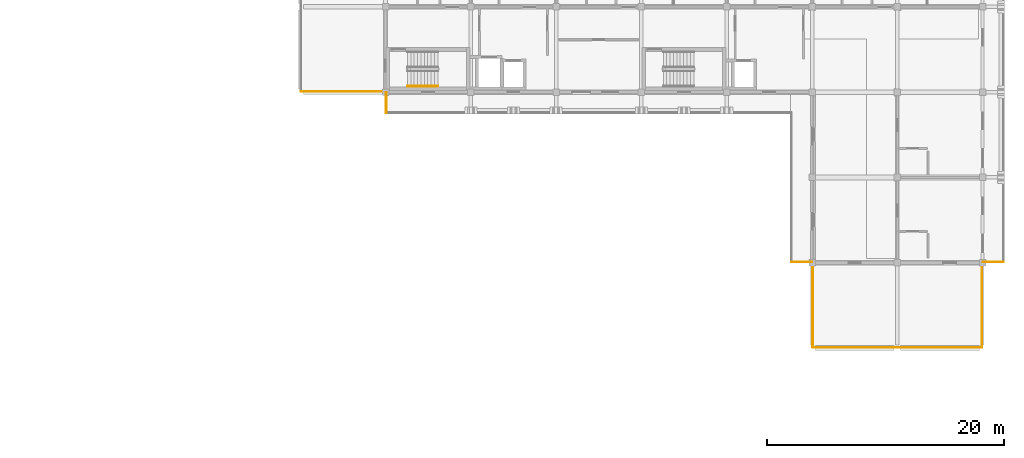
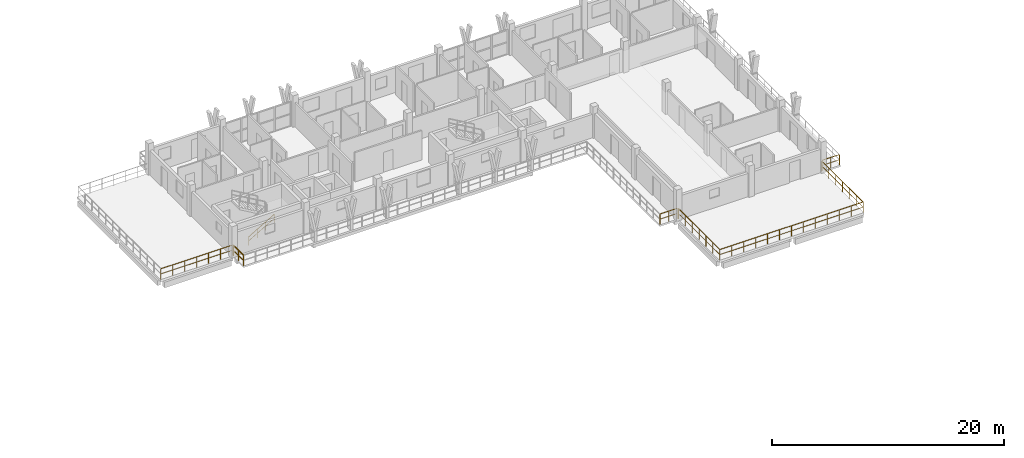
# One storey, part 57 of 60: 8 railings.
"""IFC4 building model written with IfcOpenShell, lengths in metres."""

from ifc_helpers import new_model, si_unit, direction, frame, origin, origin_2d, place, context, subcontext, project, spatial, rectangle, extrude, material, type_object, element, save


model = new_model("IFC4")

# Units and contexts
model_context = context("Model", 3, precision=1e-05, world=origin(), true_north=direction((0.0, 1.0)))
body_context = subcontext(model_context, "Body", "Model", "MODEL_VIEW")
ifc_project = project(units=[si_unit("LENGTHUNIT", "METRE"), si_unit("AREAUNIT", "SQUARE_METRE"), si_unit("VOLUMEUNIT", "CUBIC_METRE"), si_unit("PLANEANGLEUNIT", "RADIAN"), si_unit("MASSUNIT", "GRAM", prefix="KILO")], contexts=[model_context])

# Site, building, storey
site_placement = place(None, origin())
site = spatial("IfcSite", under=ifc_project, at=site_placement, CompositionType="ELEMENT")
building_placement = place(site_placement, origin())
building = spatial("IfcBuilding", under=site, at=building_placement, Name="Suanplinth Sawtooth Commons", CompositionType="ELEMENT")
storey_placement = place(building_placement, frame((0.0, 0.0, 31.5)))
storey = spatial("IfcBuildingStorey", under=building, at=storey_placement, Name="L09", CompositionType="ELEMENT", Elevation=31.5)

# Railings
ifc_material_1 = material(Name="Powder-coated galvanized steel", Category="steel")
railing_type_1 = type_object("IfcRailingType", Name="GR-01", PredefinedType="BALUSTRADE", material=ifc_material_1)
railing_1_placement = place(storey_placement, frame((172.780029296875, 93.659912109375, 0.0)))
element("IfcRailing", 1, at=railing_1_placement, inside=storey, type_object=railing_type_1, Name="L09 Block B Perimeter Balustrade 1", PredefinedType="BALUSTRADE", context=body_context, shape_type="SweptSolid", body=[
    extrude(rectangle(XDim=0.048095703125, YDim=0.048095703125, at=origin_2d()), frame((0.0, 0.0, 1.09619140625), z_axis=(-1.0, 0.0, 0.0), x_axis=(0.0, -1.0, 0.0)), (0.0, 0.0, 1.0), 1.719970703125),
    extrude(rectangle(XDim=0.03369140625, YDim=0.03369140625, at=origin_2d()), frame((0.0, 0.0, 0.56005859375), z_axis=(-1.0, 0.0, 0.0), x_axis=(0.0, -1.0, 0.0)), (0.0, 0.0, 1.0), 1.719970703125),
    extrude(rectangle(XDim=0.0419921875, YDim=0.0419921875, at=origin_2d()), origin(), (0.0, 0.0, 1.0), 1.072021484375),
    extrude(rectangle(XDim=0.0419921875, YDim=0.0419921875, at=origin_2d()), frame((-0.85986328125, 0.0, 0.0)), (0.0, 0.0, 1.0), 1.072021484375),
    extrude(rectangle(XDim=0.0419921875, YDim=0.0419921875, at=origin_2d()), frame((-1.719970703125, 0.0, 0.0)), (0.0, 0.0, 1.0), 1.072021484375),
])
railing_2_placement = place(storey_placement, frame((136.860107421875, 106.260009765625, 0.0)))
element("IfcRailing", 2, at=railing_2_placement, inside=storey, type_object=railing_type_1, Name="L09 Block B Perimeter Balustrade 4", PredefinedType="BALUSTRADE", context=body_context, shape_type="SweptSolid", body=[
    extrude(rectangle(XDim=0.048095703125, YDim=0.048095703125, at=origin_2d()), frame((0.0, 0.0, 1.09619140625), z_axis=(0.0, 1.0, 0.0), x_axis=(-1.0, 0.0, 0.0)), (0.0, 0.0, 1.0), 1.719970703125),
    extrude(rectangle(XDim=0.03369140625, YDim=0.03369140625, at=origin_2d()), frame((0.0, 0.0, 0.56005859375), z_axis=(0.0, 1.0, 0.0), x_axis=(-1.0, 0.0, 0.0)), (0.0, 0.0, 1.0), 1.719970703125),
    extrude(rectangle(XDim=0.0419921875, YDim=0.0419921875, at=origin_2d()), origin(), (0.0, 0.0, 1.0), 1.072021484375),
    extrude(rectangle(XDim=0.0419921875, YDim=0.0419921875, at=origin_2d()), frame((0.0, 0.85986328125, 0.0)), (0.0, 0.0, 1.0), 1.072021484375),
    extrude(rectangle(XDim=0.0419921875, YDim=0.0419921875, at=origin_2d()), frame((0.0, 1.719970703125, 0.0)), (0.0, 0.0, 1.0), 1.072021484375),
])
railing_3_placement = place(storey_placement, frame((136.780029296875, 108.06005859375, 0.0)))
element("IfcRailing", 3, at=railing_3_placement, inside=storey, type_object=railing_type_1, Name="L09 Block B Perimeter Balustrade 5", PredefinedType="BALUSTRADE", context=body_context, shape_type="SweptSolid", body=[
    extrude(rectangle(XDim=0.048095703125, YDim=0.048095703125, at=origin_2d()), frame((0.0, 0.0, 1.09619140625), z_axis=(-1.0, 0.0, 0.0), x_axis=(0.0, -1.0, 0.0)), (0.0, 0.0, 1.0), 7.1201171875),
    extrude(rectangle(XDim=0.03369140625, YDim=0.03369140625, at=origin_2d()), frame((0.0, 0.0, 0.56005859375), z_axis=(-1.0, 0.0, 0.0), x_axis=(0.0, -1.0, 0.0)), (0.0, 0.0, 1.0), 7.1201171875),
    extrude(rectangle(XDim=0.0419921875, YDim=0.0419921875, at=origin_2d()), origin(), (0.0, 0.0, 1.0), 1.072021484375),
    extrude(rectangle(XDim=0.0419921875, YDim=0.0419921875, at=origin_2d()), frame((-1.186767578125, 0.0, 0.0)), (0.0, 0.0, 1.0), 1.072021484375),
    extrude(rectangle(XDim=0.0419921875, YDim=0.0419921875, at=origin_2d()), frame((-2.373291015625, 0.0, 0.0)), (0.0, 0.0, 1.0), 1.072021484375),
    extrude(rectangle(XDim=0.0419921875, YDim=0.0419921875, at=origin_2d()), frame((-3.56005859375, 0.0, 0.0)), (0.0, 0.0, 1.0), 1.072021484375),
    extrude(rectangle(XDim=0.0419921875, YDim=0.0419921875, at=origin_2d()), frame((-4.746826171875, 0.0, 0.0)), (0.0, 0.0, 1.0), 1.072021484375),
    extrude(rectangle(XDim=0.0419921875, YDim=0.0419921875, at=origin_2d()), frame((-5.933349609375, 0.0, 0.0)), (0.0, 0.0, 1.0), 1.072021484375),
    extrude(rectangle(XDim=0.0419921875, YDim=0.0419921875, at=origin_2d()), frame((-7.1201171875, 0.0, 0.0)), (0.0, 0.0, 1.0), 1.072021484375),
])
railing_4_placement = place(storey_placement, frame((188.93994140625, 93.659912109375, 0.0)))
element("IfcRailing", 4, at=railing_4_placement, inside=storey, type_object=railing_type_1, Name="L09 Block B Perimeter Balustrade 11", PredefinedType="BALUSTRADE", context=body_context, shape_type="SweptSolid", body=[
    extrude(rectangle(XDim=0.048095703125, YDim=0.048095703125, at=origin_2d()), frame((0.0, 0.0, 1.09619140625), z_axis=(-1.0, 0.0, 0.0), x_axis=(0.0, -1.0, 0.0)), (0.0, 0.0, 1.0), 1.719970703125),
    extrude(rectangle(XDim=0.03369140625, YDim=0.03369140625, at=origin_2d()), frame((0.0, 0.0, 0.56005859375), z_axis=(-1.0, 0.0, 0.0), x_axis=(0.0, -1.0, 0.0)), (0.0, 0.0, 1.0), 1.719970703125),
    extrude(rectangle(XDim=0.0419921875, YDim=0.0419921875, at=origin_2d()), origin(), (0.0, 0.0, 1.0), 1.072021484375),
    extrude(rectangle(XDim=0.0419921875, YDim=0.0419921875, at=origin_2d()), frame((-0.85986328125, 0.0, 0.0)), (0.0, 0.0, 1.0), 1.072021484375),
    extrude(rectangle(XDim=0.0419921875, YDim=0.0419921875, at=origin_2d()), frame((-1.719970703125, 0.0, 0.0)), (0.0, 0.0, 1.0), 1.072021484375),
])
railing_5_placement = place(storey_placement, frame((187.139892578125, 93.580078125, 0.0)))
element("IfcRailing", 5, at=railing_5_placement, inside=storey, type_object=railing_type_1, Name="L09 Block B Perimeter Balustrade 12", PredefinedType="BALUSTRADE", context=body_context, shape_type="SweptSolid", body=[
    extrude(rectangle(XDim=0.048095703125, YDim=0.048095703125, at=origin_2d()), frame((0.0, 0.0, 1.09619140625), z_axis=(0.0, -1.0, 0.0), x_axis=(1.0, 0.0, 0.0)), (0.0, 0.0, 1.0), 7.1201171875),
    extrude(rectangle(XDim=0.03369140625, YDim=0.03369140625, at=origin_2d()), frame((0.0, 0.0, 0.56005859375), z_axis=(0.0, -1.0, 0.0), x_axis=(1.0, 0.0, 0.0)), (0.0, 0.0, 1.0), 7.1201171875),
    extrude(rectangle(XDim=0.0419921875, YDim=0.0419921875, at=origin_2d()), origin(), (0.0, 0.0, 1.0), 1.072021484375),
    extrude(rectangle(XDim=0.0419921875, YDim=0.0419921875, at=origin_2d()), frame((0.0, -1.186767578125, 0.0)), (0.0, 0.0, 1.0), 1.072021484375),
    extrude(rectangle(XDim=0.0419921875, YDim=0.0419921875, at=origin_2d()), frame((0.0, -2.373291015625, 0.0)), (0.0, 0.0, 1.0), 1.072021484375),
    extrude(rectangle(XDim=0.0419921875, YDim=0.0419921875, at=origin_2d()), frame((0.0, -3.56005859375, 0.0)), (0.0, 0.0, 1.0), 1.072021484375),
    extrude(rectangle(XDim=0.0419921875, YDim=0.0419921875, at=origin_2d()), frame((0.0, -4.746826171875, 0.0)), (0.0, 0.0, 1.0), 1.072021484375),
    extrude(rectangle(XDim=0.0419921875, YDim=0.0419921875, at=origin_2d()), frame((0.0, -5.933349609375, 0.0)), (0.0, 0.0, 1.0), 1.072021484375),
    extrude(rectangle(XDim=0.0419921875, YDim=0.0419921875, at=origin_2d()), frame((0.0, -7.1201171875, 0.0)), (0.0, 0.0, 1.0), 1.072021484375),
])
railing_6_placement = place(storey_placement, frame((187.139892578125, 86.4599609375, 0.0)))
element("IfcRailing", 6, at=railing_6_placement, inside=storey, type_object=railing_type_1, Name="L09 Block B Perimeter Balustrade 13", PredefinedType="BALUSTRADE", context=body_context, shape_type="SweptSolid", body=[
    extrude(rectangle(XDim=0.048095703125, YDim=0.048095703125, at=origin_2d()), frame((0.0, 0.0, 1.09619140625), z_axis=(-1.0, 0.0, 0.0), x_axis=(0.0, -1.0, 0.0)), (0.0, 0.0, 1.0), 14.27978515625),
    extrude(rectangle(XDim=0.03369140625, YDim=0.03369140625, at=origin_2d()), frame((0.0, 0.0, 0.56005859375), z_axis=(-1.0, 0.0, 0.0), x_axis=(0.0, -1.0, 0.0)), (0.0, 0.0, 1.0), 14.27978515625),
    extrude(rectangle(XDim=0.0419921875, YDim=0.0419921875, at=origin_2d()), origin(), (0.0, 0.0, 1.0), 1.072021484375),
    extrude(rectangle(XDim=0.0419921875, YDim=0.0419921875, at=origin_2d()), frame((-1.18994140625, 0.0, 0.0)), (0.0, 0.0, 1.0), 1.072021484375),
    extrude(rectangle(XDim=0.0419921875, YDim=0.0419921875, at=origin_2d()), frame((-2.3798828125, 0.0, 0.0)), (0.0, 0.0, 1.0), 1.072021484375),
    extrude(rectangle(XDim=0.0419921875, YDim=0.0419921875, at=origin_2d()), frame((-3.56982421875, 0.0, 0.0)), (0.0, 0.0, 1.0), 1.072021484375),
    extrude(rectangle(XDim=0.0419921875, YDim=0.0419921875, at=origin_2d()), frame((-4.760009765625, 0.0, 0.0)), (0.0, 0.0, 1.0), 1.072021484375),
    extrude(rectangle(XDim=0.0419921875, YDim=0.0419921875, at=origin_2d()), frame((-5.949951171875, 0.0, 0.0)), (0.0, 0.0, 1.0), 1.072021484375),
    extrude(rectangle(XDim=0.0419921875, YDim=0.0419921875, at=origin_2d()), frame((-7.139892578125, 0.0, 0.0)), (0.0, 0.0, 1.0), 1.072021484375),
    extrude(rectangle(XDim=0.0419921875, YDim=0.0419921875, at=origin_2d()), frame((-8.329833984375, 0.0, 0.0)), (0.0, 0.0, 1.0), 1.072021484375),
    extrude(rectangle(XDim=0.0419921875, YDim=0.0419921875, at=origin_2d()), frame((-9.519775390625, 0.0, 0.0)), (0.0, 0.0, 1.0), 1.072021484375),
    extrude(rectangle(XDim=0.0419921875, YDim=0.0419921875, at=origin_2d()), frame((-10.7099609375, 0.0, 0.0)), (0.0, 0.0, 1.0), 1.072021484375),
    extrude(rectangle(XDim=0.0419921875, YDim=0.0419921875, at=origin_2d()), frame((-11.89990234375, 0.0, 0.0)), (0.0, 0.0, 1.0), 1.072021484375),
    extrude(rectangle(XDim=0.0419921875, YDim=0.0419921875, at=origin_2d()), frame((-13.08984375, 0.0, 0.0)), (0.0, 0.0, 1.0), 1.072021484375),
    extrude(rectangle(XDim=0.0419921875, YDim=0.0419921875, at=origin_2d()), frame((-14.27978515625, 0.0, 0.0)), (0.0, 0.0, 1.0), 1.072021484375),
])
railing_7_placement = place(storey_placement, frame((172.860107421875, 86.4599609375, 0.0)))
element("IfcRailing", 7, at=railing_7_placement, inside=storey, type_object=railing_type_1, Name="L09 Block B Perimeter Balustrade 14", PredefinedType="BALUSTRADE", context=body_context, shape_type="SweptSolid", body=[
    extrude(rectangle(XDim=0.048095703125, YDim=0.048095703125, at=origin_2d()), frame((0.0, 0.0, 1.09619140625), z_axis=(0.0, 1.0, 0.0), x_axis=(-1.0, 0.0, 0.0)), (0.0, 0.0, 1.0), 7.1201171875),
    extrude(rectangle(XDim=0.03369140625, YDim=0.03369140625, at=origin_2d()), frame((0.0, 0.0, 0.56005859375), z_axis=(0.0, 1.0, 0.0), x_axis=(-1.0, 0.0, 0.0)), (0.0, 0.0, 1.0), 7.1201171875),
    extrude(rectangle(XDim=0.0419921875, YDim=0.0419921875, at=origin_2d()), origin(), (0.0, 0.0, 1.0), 1.072021484375),
    extrude(rectangle(XDim=0.0419921875, YDim=0.0419921875, at=origin_2d()), frame((0.0, 1.186767578125, 0.0)), (0.0, 0.0, 1.0), 1.072021484375),
    extrude(rectangle(XDim=0.0419921875, YDim=0.0419921875, at=origin_2d()), frame((0.0, 2.373291015625, 0.0)), (0.0, 0.0, 1.0), 1.072021484375),
    extrude(rectangle(XDim=0.0419921875, YDim=0.0419921875, at=origin_2d()), frame((0.0, 3.56005859375, 0.0)), (0.0, 0.0, 1.0), 1.072021484375),
    extrude(rectangle(XDim=0.0419921875, YDim=0.0419921875, at=origin_2d()), frame((0.0, 4.746826171875, 0.0)), (0.0, 0.0, 1.0), 1.072021484375),
    extrude(rectangle(XDim=0.0419921875, YDim=0.0419921875, at=origin_2d()), frame((0.0, 5.933349609375, 0.0)), (0.0, 0.0, 1.0), 1.072021484375),
    extrude(rectangle(XDim=0.0419921875, YDim=0.0419921875, at=origin_2d()), frame((0.0, 7.1201171875, 0.0)), (0.0, 0.0, 1.0), 1.072021484375),
])
ifc_material_2 = material(Name="Stainless steel Grade 304", Category="steel")
railing_type_2 = type_object("IfcRailingType", Name="HR-01", PredefinedType="HANDRAIL", material=ifc_material_2)
railing_8_placement = place(storey_placement, frame((138.64990234375, 108.5, 0.1650390625)))
element("IfcRailing", 8, at=railing_8_placement, inside=storey, type_object=railing_type_2, Name="L09 ST-E1 Handrail 1", PredefinedType="HANDRAIL", context=body_context, shape_type="SweptSolid", body=[
    extrude(rectangle(XDim=0.048095703125, YDim=0.048095703125, at=origin_2d()), frame((0.0, 0.0, 0.8759765625), z_axis=(0.865461999751, 0.0, 0.500974577186), x_axis=(0.0, 1.0, 0.0)), (0.0, 0.0, 1.0), 2.9638671875),
    extrude(rectangle(XDim=0.03369140625, YDim=0.03369140625, at=origin_2d()), frame((0.0, 0.0, 0.449951171875), z_axis=(0.865461999751, 0.0, 0.500974577186), x_axis=(0.0, 1.0, 0.0)), (0.0, 0.0, 1.0), 2.9638671875),
    extrude(rectangle(XDim=0.0419921875, YDim=0.0419921875, at=origin_2d()), origin(), (0.0, 0.0, 1.0), 0.851806640625),
    extrude(rectangle(XDim=0.0419921875, YDim=0.0419921875, at=origin_2d()), frame((0.85498046875, 0.0, 0.494873046875)), (0.0, 0.0, 1.0), 0.851806640625),
    extrude(rectangle(XDim=0.0419921875, YDim=0.0419921875, at=origin_2d()), frame((1.710205078125, 0.0, 0.989990234375)), (0.0, 0.0, 1.0), 0.851806640625),
    extrude(rectangle(XDim=0.0419921875, YDim=0.0419921875, at=origin_2d()), frame((2.565185546875, 0.0, 1.48486328125)), (0.0, 0.0, 1.0), 0.851806640625),
])

save(model, "model.ifc")
